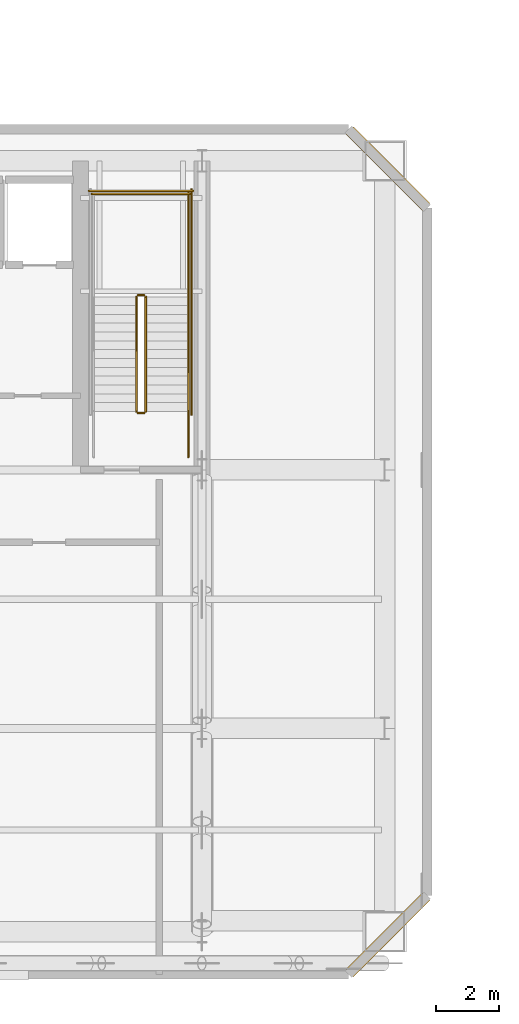
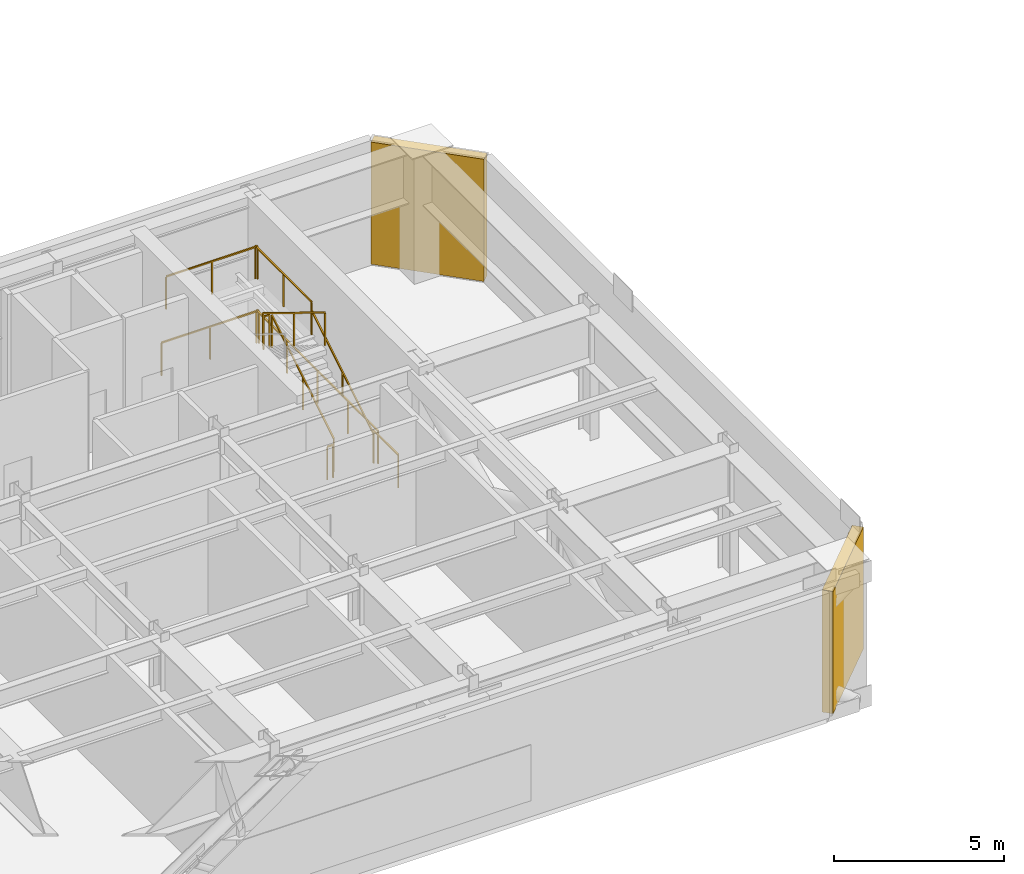
# One storey, part 13 of 15: 10 railings, 2 shading devices.
"""IFC4 building model written with IfcOpenShell, lengths in metres."""

from ifc_helpers import new_model, si_unit, direction, frame, origin, origin_2d, place, context, subcontext, project, spatial, rectangle, extrude, material, layer, layer_set, type_object, element, save


model = new_model("IFC4")

# Units and contexts
model_context = context("Model", 3, precision=1e-05, world=origin(), true_north=direction((0.0, 1.0)))
body_context = subcontext(model_context, "Body", "Model", "MODEL_VIEW")
ifc_project = project(units=[si_unit("LENGTHUNIT", "METRE"), si_unit("AREAUNIT", "SQUARE_METRE"), si_unit("VOLUMEUNIT", "CUBIC_METRE"), si_unit("PLANEANGLEUNIT", "RADIAN"), si_unit("MASSUNIT", "GRAM", prefix="KILO")], contexts=[model_context])

# Site, building, storey
site_placement = place(None, origin())
site = spatial("IfcSite", under=ifc_project, at=site_placement, CompositionType="ELEMENT")
building_placement = place(site_placement, origin())
building = spatial("IfcBuilding", under=site, at=building_placement, Name="Haevon Station Towers", CompositionType="ELEMENT")
storey_placement = place(building_placement, frame((0.0, 0.0, 192.300048828125)))
storey = spatial("IfcBuildingStorey", under=building, at=storey_placement, Name="L53", CompositionType="ELEMENT", Elevation=192.300048828125)

# Railings
ifc_material_1 = material(Name="Steel S355", Category="steel")
railing_type_1 = type_object("IfcRailingType", Name="GRD-STR1200", PredefinedType="GUARDRAIL", material=ifc_material_1)
railing_1_placement = place(storey_placement, frame((49.219970703125, 40.050048828125, 0.17138671875)))
element("IfcRailing", 1, at=railing_1_placement, inside=storey, type_object=railing_type_1, Name="L53 ST2 Stair Guard 1", PredefinedType="GUARDRAIL", context=body_context, shape_type="SweptSolid", body=[
    extrude(rectangle(XDim=0.048095703125, YDim=0.048095703125, at=origin_2d()), frame((0.0, 0.0, 1.17578125), z_axis=(0.0, 0.852850264322, 0.5221555579), x_axis=(-1.0, 0.0, 0.0)), (0.0, 0.0, 1.0), 4.267822265625),
    extrude(rectangle(XDim=0.0419921875, YDim=0.0419921875, at=origin_2d()), origin(), (0.0, 0.0, 1.0), 1.15185546875),
    extrude(rectangle(XDim=0.0419921875, YDim=0.0419921875, at=origin_2d()), frame((0.0, 1.81982421875, 1.1142578125)), (0.0, 0.0, 1.0), 1.15185546875),
    extrude(rectangle(XDim=0.0419921875, YDim=0.0419921875, at=origin_2d()), frame((0.0, 3.639892578125, 2.228515625)), (0.0, 0.0, 1.0), 1.15185546875),
])
railing_2_placement = place(storey_placement, frame((49.169921875, 43.739990234375, 2.39990234375)))
element("IfcRailing", 2, at=railing_2_placement, inside=storey, type_object=railing_type_1, Name="L53 ST2 Stair Guard 2", PredefinedType="GUARDRAIL", context=body_context, shape_type="SweptSolid", body=[
    extrude(rectangle(XDim=0.048095703125, YDim=0.048095703125, at=origin_2d()), frame((0.0, 0.0, 1.17578125), z_axis=(-1.0, 0.0, 0.0), x_axis=(0.0, -1.0, 0.0)), (0.0, 0.0, 1.0), 0.199951171875),
    extrude(rectangle(XDim=0.0419921875, YDim=0.0419921875, at=origin_2d()), origin(), (0.0, 0.0, 1.0), 1.15185546875),
    extrude(rectangle(XDim=0.0419921875, YDim=0.0419921875, at=origin_2d()), frame((-0.199951171875, 0.0, 0.0)), (0.0, 0.0, 1.0), 1.15185546875),
])
railing_3_placement = place(storey_placement, frame((50.570068359375, 43.68994140625, 2.39990234375)))
element("IfcRailing", 3, at=railing_3_placement, inside=storey, type_object=railing_type_1, Name="L53 ST2 Stair Guard 3", PredefinedType="GUARDRAIL", context=body_context, shape_type="SweptSolid", body=[
    extrude(rectangle(XDim=0.048095703125, YDim=0.048095703125, at=origin_2d()), frame((0.0, 0.0, 1.17578125), z_axis=(0.0, 1.0, 0.0), x_axis=(-1.0, 0.0, 0.0)), (0.0, 0.0, 1.0), 3.31005859375),
    extrude(rectangle(XDim=0.0419921875, YDim=0.0419921875, at=origin_2d()), origin(), (0.0, 0.0, 1.0), 1.15185546875),
    extrude(rectangle(XDim=0.0419921875, YDim=0.0419921875, at=origin_2d()), frame((0.0, 1.655029296875, 0.0)), (0.0, 0.0, 1.0), 1.15185546875),
    extrude(rectangle(XDim=0.0419921875, YDim=0.0419921875, at=origin_2d()), frame((0.0, 3.31005859375, 0.0)), (0.0, 0.0, 1.0), 1.15185546875),
])
railing_4_placement = place(storey_placement, frame((50.6201171875, 46.949951171875, 2.39990234375)))
element("IfcRailing", 4, at=railing_4_placement, inside=storey, type_object=railing_type_1, Name="L53 ST2 Stair Guard 5", PredefinedType="GUARDRAIL", context=body_context, shape_type="SweptSolid", body=[
    extrude(rectangle(XDim=0.048095703125, YDim=0.048095703125, at=origin_2d()), frame((0.0, 0.0, 1.17578125), z_axis=(-1.0, 0.0, 0.0), x_axis=(0.0, -1.0, 0.0)), (0.0, 0.0, 1.0), 3.10009765625),
    extrude(rectangle(XDim=0.0419921875, YDim=0.0419921875, at=origin_2d()), origin(), (0.0, 0.0, 1.0), 1.15185546875),
    extrude(rectangle(XDim=0.0419921875, YDim=0.0419921875, at=origin_2d()), frame((-1.550048828125, 0.0, 0.0)), (0.0, 0.0, 1.0), 1.15185546875),
    extrude(rectangle(XDim=0.0419921875, YDim=0.0419921875, at=origin_2d()), frame((-3.10009765625, 0.0, 0.0)), (0.0, 0.0, 1.0), 1.15185546875),
])
railing_5_placement = place(storey_placement, frame((48.919921875, 43.68994140625, 2.5712890625)))
element("IfcRailing", 5, at=railing_5_placement, inside=storey, type_object=railing_type_1, Name="L53 ST2 Stair Guard 6", PredefinedType="GUARDRAIL", context=body_context, shape_type="SweptSolid", body=[
    extrude(rectangle(XDim=0.048095703125, YDim=0.048095703125, at=origin_2d()), frame((0.0, 0.0, 1.17578125), z_axis=(0.0, -0.852824790078, 0.522197163366), x_axis=(1.0, 0.0, 0.0)), (0.0, 0.0, 1.0), 4.26806640625),
    extrude(rectangle(XDim=0.0419921875, YDim=0.0419921875, at=origin_2d()), origin(), (0.0, 0.0, 1.0), 1.15185546875),
    extrude(rectangle(XDim=0.0419921875, YDim=0.0419921875, at=origin_2d()), frame((0.0, -1.81982421875, 1.1142578125)), (0.0, 0.0, 1.0), 1.15185546875),
    extrude(rectangle(XDim=0.0419921875, YDim=0.0419921875, at=origin_2d()), frame((0.0, -3.639892578125, 2.228759765625)), (0.0, 0.0, 1.0), 1.15185546875),
])
railing_6_placement = place(storey_placement, frame((49.169921875, 40.0, 0.0)))
element("IfcRailing", 6, at=railing_6_placement, inside=storey, type_object=railing_type_1, Name="L53 ST2 Stair Guard 7", PredefinedType="GUARDRAIL", context=body_context, shape_type="SweptSolid", body=[
    extrude(rectangle(XDim=0.048095703125, YDim=0.048095703125, at=origin_2d()), frame((0.0, 0.0, 1.17578125), z_axis=(-1.0, 0.0, 0.0), x_axis=(0.0, -1.0, 0.0)), (0.0, 0.0, 1.0), 0.199951171875),
    extrude(rectangle(XDim=0.0419921875, YDim=0.0419921875, at=origin_2d()), origin(), (0.0, 0.0, 1.0), 1.15185546875),
    extrude(rectangle(XDim=0.0419921875, YDim=0.0419921875, at=origin_2d()), frame((-0.199951171875, 0.0, 0.0)), (0.0, 0.0, 1.0), 1.15185546875),
])
railing_7_placement = place(storey_placement, frame((50.570068359375, 38.60009765625, 0.0)))
element("IfcRailing", 7, at=railing_7_placement, inside=storey, type_object=railing_type_1, Name="L53 ST2 Stair Guard 8", PredefinedType="GUARDRAIL", context=body_context, shape_type="SweptSolid", body=[
    extrude(rectangle(XDim=0.048095703125, YDim=0.048095703125, at=origin_2d()), frame((0.0, 0.0, 1.17578125), z_axis=(0.0, 1.0, 0.0), x_axis=(-1.0, 0.0, 0.0)), (0.0, 0.0, 1.0), 1.449951171875),
    extrude(rectangle(XDim=0.0419921875, YDim=0.0419921875, at=origin_2d()), origin(), (0.0, 0.0, 1.0), 1.15185546875),
    extrude(rectangle(XDim=0.0419921875, YDim=0.0419921875, at=origin_2d()), frame((0.0, 1.449951171875, 0.0)), (0.0, 0.0, 1.0), 1.15185546875),
])
railing_8_placement = place(storey_placement, frame((50.669921875, 39.949951171875, 0.0)))
element("IfcRailing", 8, at=railing_8_placement, inside=storey, type_object=railing_type_1, Name="L53 ST2 Stair Guard 10", PredefinedType="GUARDRAIL", context=body_context, shape_type="SweptSolid", body=[
    extrude(rectangle(XDim=0.048095703125, YDim=0.048095703125, at=origin_2d()), frame((0.0, 0.0, 1.17578125), z_axis=(0.0, 1.0, 0.0), x_axis=(-1.0, 0.0, 0.0)), (0.0, 0.0, 1.0), 7.150146484375),
    extrude(rectangle(XDim=0.0419921875, YDim=0.0419921875, at=origin_2d()), origin(), (0.0, 0.0, 1.0), 1.15185546875),
    extrude(rectangle(XDim=0.0419921875, YDim=0.0419921875, at=origin_2d()), frame((0.0, 1.78759765625, 0.0)), (0.0, 0.0, 1.0), 1.15185546875),
    extrude(rectangle(XDim=0.0419921875, YDim=0.0419921875, at=origin_2d()), frame((0.0, 3.5751953125, 0.0)), (0.0, 0.0, 1.0), 1.15185546875),
    extrude(rectangle(XDim=0.0419921875, YDim=0.0419921875, at=origin_2d()), frame((0.0, 5.362548828125, 0.0)), (0.0, 0.0, 1.0), 1.15185546875),
    extrude(rectangle(XDim=0.0419921875, YDim=0.0419921875, at=origin_2d()), frame((0.0, 7.150146484375, 0.0)), (0.0, 0.0, 1.0), 1.15185546875),
])
railing_9_placement = place(storey_placement, frame((50.719970703125, 47.050048828125, 0.0)))
element("IfcRailing", 9, at=railing_9_placement, inside=storey, type_object=railing_type_1, Name="L53 ST2 Stair Guard 12", PredefinedType="GUARDRAIL", context=body_context, shape_type="SweptSolid", body=[
    extrude(rectangle(XDim=0.048095703125, YDim=0.048095703125, at=origin_2d()), frame((0.0, 0.0, 1.17578125), z_axis=(-1.0, 0.0, 0.0), x_axis=(0.0, -1.0, 0.0)), (0.0, 0.0, 1.0), 3.300048828125),
    extrude(rectangle(XDim=0.0419921875, YDim=0.0419921875, at=origin_2d()), origin(), (0.0, 0.0, 1.0), 1.15185546875),
    extrude(rectangle(XDim=0.0419921875, YDim=0.0419921875, at=origin_2d()), frame((-1.64990234375, 0.0, 0.0)), (0.0, 0.0, 1.0), 1.15185546875),
    extrude(rectangle(XDim=0.0419921875, YDim=0.0419921875, at=origin_2d()), frame((-3.300048828125, 0.0, 0.0)), (0.0, 0.0, 1.0), 1.15185546875),
])
railing_type_2 = type_object("IfcRailingType", Name="HND-STR900", PredefinedType="HANDRAIL", material=ifc_material_1)
railing_10_placement = place(storey_placement, frame((50.570068359375, 40.050048828125, 0.17138671875)))
element("IfcRailing", 10, at=railing_10_placement, inside=storey, type_object=railing_type_2, Name="L53 ST2 Stair Handrail 1", PredefinedType="HANDRAIL", context=body_context, shape_type="SweptSolid", body=[
    extrude(rectangle(XDim=0.048095703125, YDim=0.048095703125, at=origin_2d()), frame((0.0, 0.0, 0.8759765625), z_axis=(0.0, 0.852850264322, 0.5221555579), x_axis=(-1.0, 0.0, 0.0)), (0.0, 0.0, 1.0), 4.267822265625),
    extrude(rectangle(XDim=0.0419921875, YDim=0.0419921875, at=origin_2d()), origin(), (0.0, 0.0, 1.0), 0.851806640625),
    extrude(rectangle(XDim=0.0419921875, YDim=0.0419921875, at=origin_2d()), frame((0.0, 1.81982421875, 1.1142578125)), (0.0, 0.0, 1.0), 0.851806640625),
    extrude(rectangle(XDim=0.0419921875, YDim=0.0419921875, at=origin_2d()), frame((0.0, 3.639892578125, 2.228515625)), (0.0, 0.0, 1.0), 0.851806640625),
])

# Shading devices
ifc_material_2 = material(Name="Anodised aluminium 6063-T6", Category="aluminium")
ifc_layer = layer(ifc_material_2, 0.139892578125)
ifc_layer_set = layer_set([ifc_layer], Name="Anodised aluminium 6063-T6")
shading_device_type = type_object("IfcShadingDeviceType", Name="SHD-WIND-BAFFLE", PredefinedType="SHUTTER", material=ifc_layer_set)
for number, where, z_axis, x_axis, name in (
    (11, (56.89990234375, 47.75, 0.050048828125), (0.0, 0.0, 1.0), (0.707106781187, -0.707106781187, 0.0), "Tower 1 L53 Wind-Corner Aerofoil Baffle NEC"),
    (12, (56.89990234375, 23.449951171875, 0.050048828125), (0.0, 0.0, 1.0), (-0.707106781187, -0.707106781187, 0.0), "Tower 1 L53 Wind-Corner Aerofoil Baffle SEC"),
):
    element("IfcShadingDevice", number, at=place(storey_placement, frame(where, z_axis=z_axis, x_axis=x_axis)), inside=storey, type_object=shading_device_type, Name=name, PredefinedType="SHUTTER", context=body_context, shape_type="SweptSolid", body=[
        extrude(rectangle(XDim=3.435546875, YDim=0.340087890625, at=origin_2d()), origin(), (0.0, 0.0, 1.0), 4.3798828125),
    ])

save(model, "model.ifc")
